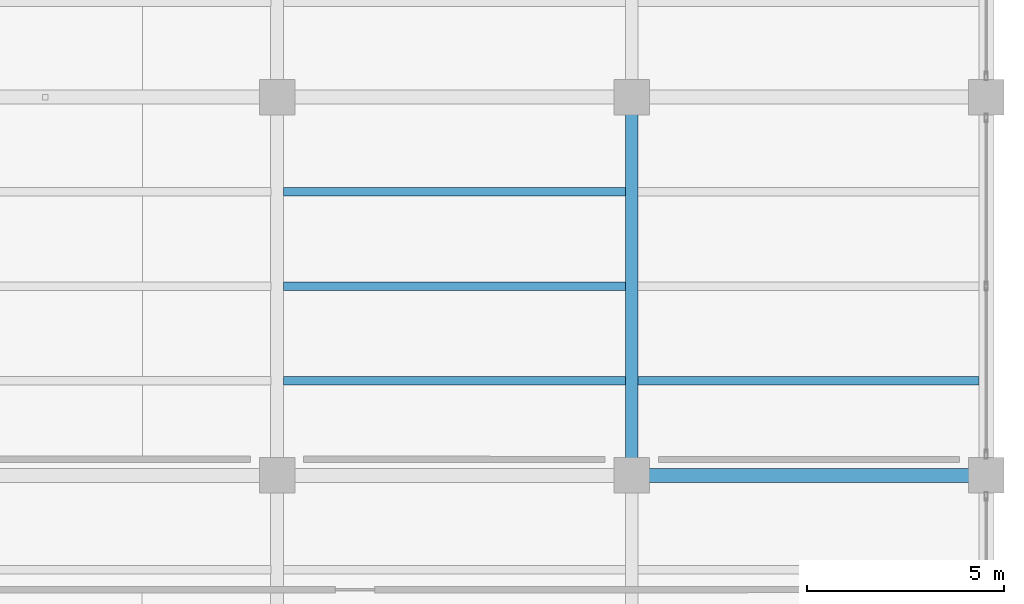
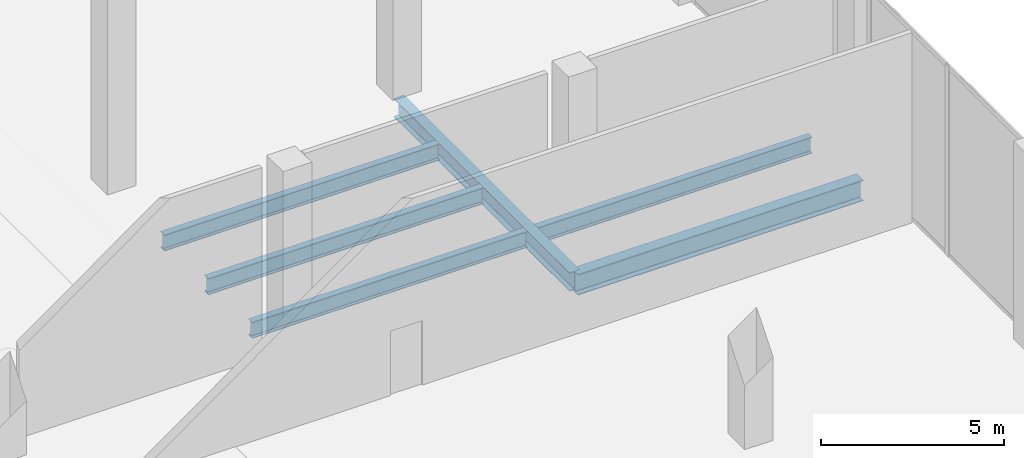
# One storey, part 15 of 45: 6 beams.
"""IFC4 building model written with IfcOpenShell, lengths in metres."""

from ifc_helpers import new_model, si_unit, direction, frame, origin, origin_2d, place, context, subcontext, project, spatial, i_section, extrude, material, material_profile, profile_set, type_object, element, save


model = new_model("IFC4")

# Units and contexts
model_context = context("Model", 3, precision=1e-05, world=origin(), true_north=direction((0.0, 1.0)))
body_context = subcontext(model_context, "Body", "Model", "MODEL_VIEW")
ifc_project = project(units=[si_unit("LENGTHUNIT", "METRE"), si_unit("AREAUNIT", "SQUARE_METRE"), si_unit("VOLUMEUNIT", "CUBIC_METRE"), si_unit("PLANEANGLEUNIT", "RADIAN"), si_unit("MASSUNIT", "GRAM", prefix="KILO")], contexts=[model_context])

# Site, building, storey
site_placement = place(None, origin())
site = spatial("IfcSite", under=ifc_project, at=site_placement, CompositionType="ELEMENT")
building_placement = place(site_placement, origin())
building = spatial("IfcBuilding", under=site, at=building_placement, Name="Qorvath Tower", CompositionType="ELEMENT")
storey_placement = place(building_placement, origin())
storey = spatial("IfcBuildingStorey", under=building, at=storey_placement, Name="L00", CompositionType="ELEMENT", Elevation=0.0)

# Beams
ifc_material_1 = material(Name="Steel ASTM A992 Grade 50", Category="steel")
ifc_material_profile_1 = material_profile(ifc_material_1, i_section(OverallWidth=0.35595703125, OverallDepth=0.696044921875, WebThickness=0.015380859375, FlangeThickness=0.02490234375, FilletRadius=0.01806640625, at=origin_2d()), Name="W27x146")
ifc_profile_set_1 = profile_set([ifc_material_profile_1], Name="Steel ASTM A992 Grade 50")
beam_type_1 = type_object("IfcBeamType", Name="BM-FG4", PredefinedType="BEAM", material=ifc_profile_set_1)
beam_1_placement = place(storey_placement, frame((68.39990234375, -9.60009765625, -0.64794921875), z_axis=(1.0, 0.0, 0.0), x_axis=(0.0, 1.0, 0.0)))
element("IfcBeam", 1, at=beam_1_placement, inside=storey, type_object=beam_type_1, Name="Library E-W Girder L00-4-5", PredefinedType="BEAM", context=body_context, shape_type="SweptSolid", body=[
    extrude(i_section(OverallWidth=0.35595703125, OverallDepth=0.696044921875, WebThickness=0.015380859375, FlangeThickness=0.02490234375, FilletRadius=0.01806640625, at=origin_2d()), origin(), (0.0, 0.0, 1.0), 9.0),
])
ifc_material_2 = material(Name="Steel ASTM A992 Grade 50", Category="steel")
ifc_material_profile_2 = material_profile(ifc_material_2, i_section(OverallWidth=0.324951171875, OverallDepth=0.615966796875, WebThickness=0.013916015625, FlangeThickness=0.021484375, FilletRadius=0.01611328125, at=origin_2d()), Name="W24x117")
ifc_profile_set_2 = profile_set([ifc_material_profile_2], Name="Steel ASTM A992 Grade 50")
beam_type_2 = type_object("IfcBeamType", Name="BM-FG5", PredefinedType="BEAM", material=ifc_profile_set_2)
beam_2_placement = place(storey_placement, frame((68.39990234375, -9.60009765625, -0.60791015625), z_axis=(0.0, 1.0, 0.0), x_axis=(-1.0, 0.0, 0.0)))
element("IfcBeam", 2, at=beam_2_placement, inside=storey, type_object=beam_type_2, Name="Library N-S Girder L00-5-4", PredefinedType="BEAM", context=body_context, shape_type="SweptSolid", body=[
    extrude(i_section(OverallWidth=0.324951171875, OverallDepth=0.615966796875, WebThickness=0.013916015625, FlangeThickness=0.021484375, FilletRadius=0.01611328125, at=origin_2d()), origin(), (0.0, 0.0, 1.0), 9.60009765625),
])
ifc_material_3 = material(Name="Steel ASTM A992 Grade 50", Category="steel")
ifc_material_profile_3 = material_profile(ifc_material_3, i_section(OverallWidth=0.2119140625, OverallDepth=0.5439453125, WebThickness=0.01318359375, FlangeThickness=0.021240234375, FilletRadius=0.013916015625, at=origin_2d()), Name="W21x83")
ifc_profile_set_3 = profile_set([ifc_material_profile_3], Name="Steel ASTM A992 Grade 50")
beam_type_3 = type_object("IfcBeamType", Name="BM-FJ1", PredefinedType="JOIST", material=ifc_profile_set_3)
beam_3_placement = place(storey_placement, frame((59.560546875, -7.199951171875, -0.572021484375), z_axis=(1.0, 0.0, 0.0), x_axis=(0.0, 1.0, 0.0)))
element("IfcBeam", 3, at=beam_3_placement, inside=storey, type_object=beam_type_3, Name="Library Stack Joist L00-4.1-4", PredefinedType="JOIST", context=body_context, shape_type="SweptSolid", body=[
    extrude(i_section(OverallWidth=0.2119140625, OverallDepth=0.5439453125, WebThickness=0.01318359375, FlangeThickness=0.021240234375, FilletRadius=0.013916015625, at=origin_2d()), origin(), (0.0, 0.0, 1.0), 8.678955078125),
])
beam_4_placement = place(storey_placement, frame((68.560546875, -7.199951171875, -0.572021484375), z_axis=(1.0, 0.0, 0.0), x_axis=(0.0, 1.0, 0.0)))
element("IfcBeam", 4, at=beam_4_placement, inside=storey, type_object=beam_type_3, Name="Library Stack Joist L00-4.1-5", PredefinedType="JOIST", context=body_context, shape_type="SweptSolid", body=[
    extrude(i_section(OverallWidth=0.2119140625, OverallDepth=0.5439453125, WebThickness=0.01318359375, FlangeThickness=0.021240234375, FilletRadius=0.013916015625, at=origin_2d()), origin(), (0.0, 0.0, 1.0), 8.65087890625),
])
for number, where, z_axis, x_axis, name in (
    (5, (59.560546875, -4.800048828125, -0.572021484375), (1.0, 0.0, 0.0), (0.0, 1.0, 0.0), "Library Stack Joist L00-4.2-4"),
    (6, (59.560546875, -2.39990234375, -0.572021484375), (1.0, 0.0, 0.0), (0.0, 1.0, 0.0), "Library Stack Joist L00-4.3-4"),
):
    element("IfcBeam", number, at=place(storey_placement, frame(where, z_axis=z_axis, x_axis=x_axis)), inside=storey, type_object=beam_type_3, Name=name, PredefinedType="JOIST", context=body_context, shape_type="SweptSolid", body=[
        extrude(i_section(OverallWidth=0.2119140625, OverallDepth=0.5439453125, WebThickness=0.01318359375, FlangeThickness=0.021240234375, FilletRadius=0.013916015625, at=origin_2d()), origin(), (0.0, 0.0, 1.0), 8.678955078125),
    ])

save(model, "model.ifc")
